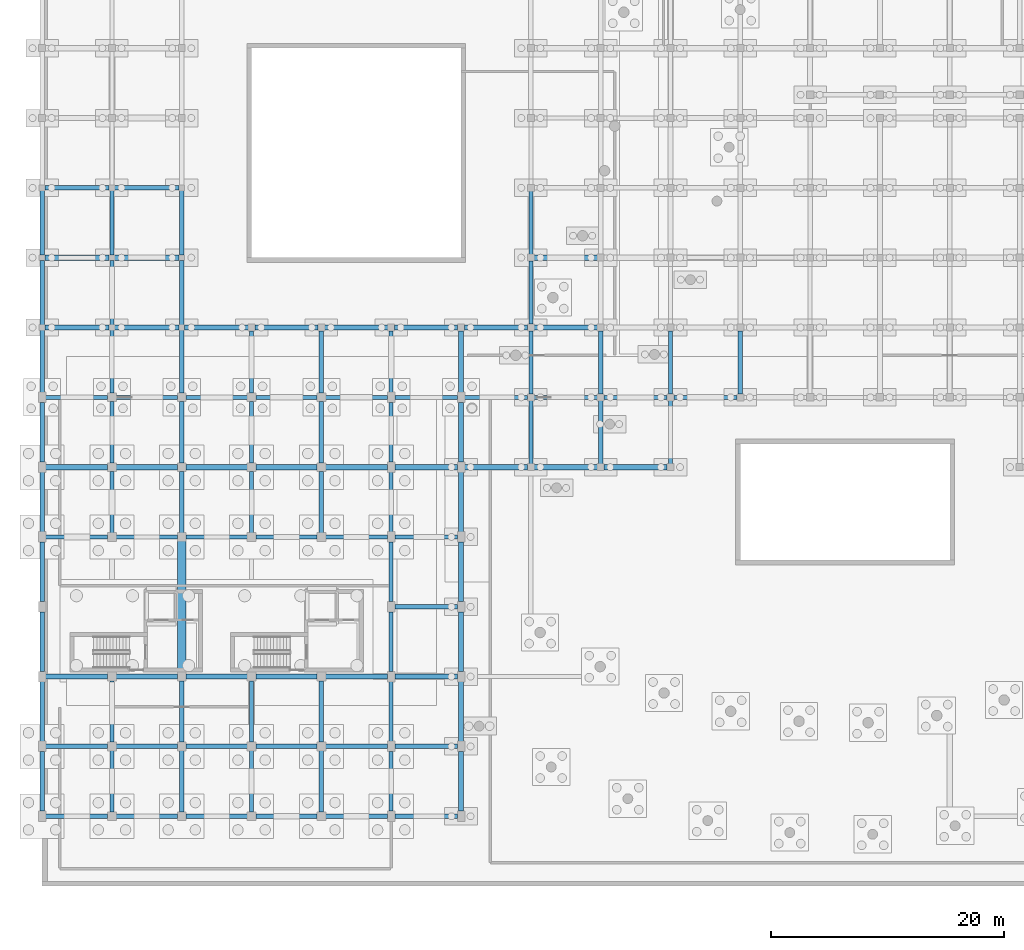
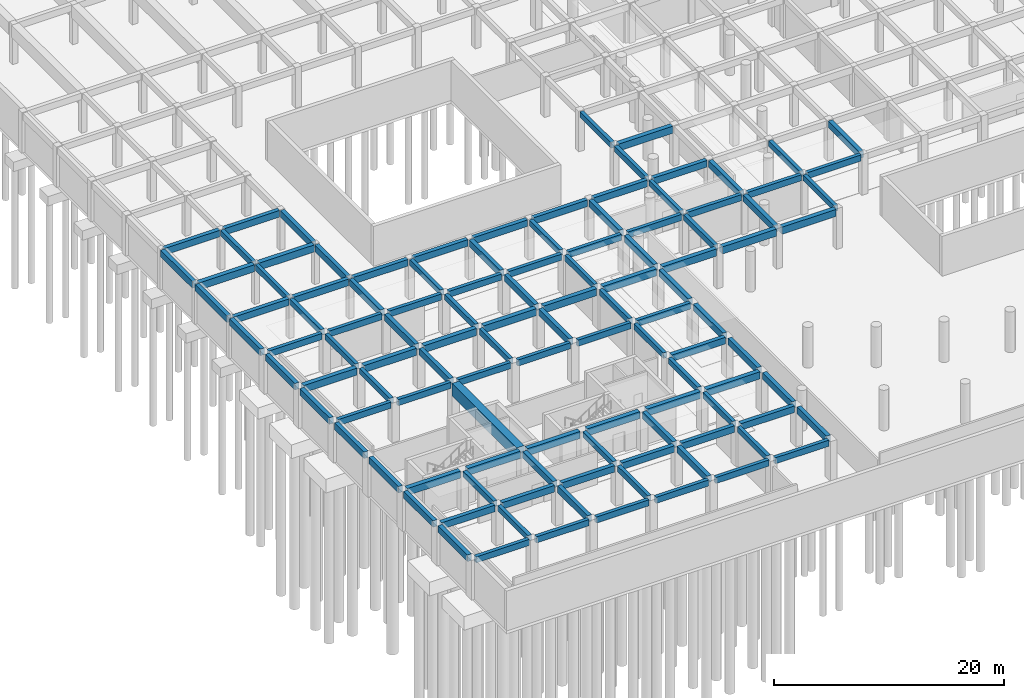
# One storey, part 16 of 41: 114 beams.
"""IFC4 building model written with IfcOpenShell, lengths in metres."""

from ifc_helpers import new_model, si_unit, direction, frame, origin, origin_2d, place, context, subcontext, project, spatial, rectangle, extrude, material, material_profile, profile_set, type_object, element, save


model = new_model("IFC4")

# Units and contexts
model_context = context("Model", 3, precision=1e-05, world=origin(), true_north=direction((0.0, 1.0)))
body_context = subcontext(model_context, "Body", "Model", "MODEL_VIEW")
ifc_project = project(units=[si_unit("LENGTHUNIT", "METRE"), si_unit("AREAUNIT", "SQUARE_METRE"), si_unit("VOLUMEUNIT", "CUBIC_METRE"), si_unit("PLANEANGLEUNIT", "RADIAN"), si_unit("MASSUNIT", "GRAM", prefix="KILO"), si_unit("POWERUNIT", "WATT"), si_unit("THERMODYNAMICTEMPERATUREUNIT", "KELVIN")], contexts=[model_context])

# Site, building, storey
site_placement = place(None, origin())
site = spatial("IfcSite", under=ifc_project, at=site_placement, CompositionType="ELEMENT")
building_placement = place(site_placement, origin())
building = spatial("IfcBuilding", under=site, at=building_placement, Name="Ruvembo Vaulted Housing Court", CompositionType="ELEMENT")
storey_placement = place(building_placement, frame((0.0, 0.0, -4.5)))
storey = spatial("IfcBuildingStorey", under=building, at=storey_placement, Name="B1", CompositionType="ELEMENT", Elevation=-4.5)

# Beams
ifc_material_1 = material(Name="Concrete C35/45", Category="concrete")
ifc_material_profile_1 = material_profile(ifc_material_1, rectangle(XDim=0.35009765625, YDim=0.60009765625, at=origin_2d()), Name="RC 350x600")
ifc_profile_set_1 = profile_set([ifc_material_profile_1], Name="Concrete C35/45")
beam_type_1 = type_object("IfcBeamType", Name="BM-RC-350x600", PredefinedType="BEAM", material=ifc_profile_set_1)
for number, where, z_axis, x_axis, name in (
    (1, (6.0, 6.360107421875, 3.9150390625), (0.0, 1.0, 0.0), (-1.0, 0.0, 0.0), "B1 Grid Beam Y #391"),
    (2, (6.0, 12.360107421875, 3.9150390625), (0.0, 1.0, 0.0), (-1.0, 0.0, 0.0), "B1 Grid Beam Y #392"),
    (3, (6.0, 30.360107421875, 3.9150390625), (0.0, 1.0, 0.0), (-1.0, 0.0, 0.0), "B1 Grid Beam Y #393"),
    (4, (6.0, 36.360107421875, 3.9150390625), (0.0, 1.0, 0.0), (-1.0, 0.0, 0.0), "B1 Grid Beam Y #394"),
):
    element("IfcBeam", number, at=place(storey_placement, frame(where, z_axis=z_axis, x_axis=x_axis)), inside=storey, type_object=beam_type_1, Name=name, PredefinedType="BEAM", context=body_context, shape_type="SweptSolid", body=[
        extrude(rectangle(XDim=0.35009765625, YDim=0.60009765625, at=origin_2d()), origin(), (0.0, 0.0, 1.0), 5.27978515625),
    ])
beam_1_placement = place(storey_placement, frame((6.0, 42.360107421875, 3.9150390625), z_axis=(0.0, 1.0, 0.0), x_axis=(-1.0, 0.0, 0.0)))
element("IfcBeam", 5, at=beam_1_placement, inside=storey, type_object=beam_type_1, Name="B1 Grid Beam Y #395", PredefinedType="BEAM", context=body_context, shape_type="SweptSolid", body=[
    extrude(rectangle(XDim=0.35009765625, YDim=0.60009765625, at=origin_2d()), origin(), (0.0, 0.0, 1.0), 5.40478515625),
])
for number, where, z_axis, x_axis, name in (
    (6, (6.0, 48.235107421875, 3.9150390625), (0.0, 1.0, 0.0), (-1.0, 0.0, 0.0), "B1 Grid Beam Y #396"),
    (7, (6.0, 54.235107421875, 3.9150390625), (0.0, 1.0, 0.0), (-1.0, 0.0, 0.0), "B1 Grid Beam Y #397"),
):
    element("IfcBeam", number, at=place(storey_placement, frame(where, z_axis=z_axis, x_axis=x_axis)), inside=storey, type_object=beam_type_1, Name=name, PredefinedType="BEAM", context=body_context, shape_type="SweptSolid", body=[
        extrude(rectangle(XDim=0.35009765625, YDim=0.60009765625, at=origin_2d()), origin(), (0.0, 0.0, 1.0), 5.52978515625),
    ])
for number, where, z_axis, x_axis, name in (
    (8, (18.0, 6.360107421875, 3.9150390625), (0.0, 1.0, 0.0), (-1.0, 0.0, 0.0), "B1 Grid Beam Y #418"),
    (9, (18.0, 12.360107421875, 3.9150390625), (0.0, 1.0, 0.0), (-1.0, 0.0, 0.0), "B1 Grid Beam Y #419"),
    (10, (18.0, 30.360107421875, 3.9150390625), (0.0, 1.0, 0.0), (-1.0, 0.0, 0.0), "B1 Grid Beam Y #420"),
    (11, (18.0, 36.360107421875, 3.9150390625), (0.0, 1.0, 0.0), (-1.0, 0.0, 0.0), "B1 Grid Beam Y #421"),
):
    element("IfcBeam", number, at=place(storey_placement, frame(where, z_axis=z_axis, x_axis=x_axis)), inside=storey, type_object=beam_type_1, Name=name, PredefinedType="BEAM", context=body_context, shape_type="SweptSolid", body=[
        extrude(rectangle(XDim=0.35009765625, YDim=0.60009765625, at=origin_2d()), origin(), (0.0, 0.0, 1.0), 5.27978515625),
    ])
beam_2_placement = place(storey_placement, frame((18.0, 42.360107421875, 3.9150390625), z_axis=(0.0, 1.0, 0.0), x_axis=(-1.0, 0.0, 0.0)))
element("IfcBeam", 12, at=beam_2_placement, inside=storey, type_object=beam_type_1, Name="B1 Grid Beam Y #422", PredefinedType="BEAM", context=body_context, shape_type="SweptSolid", body=[
    extrude(rectangle(XDim=0.35009765625, YDim=0.60009765625, at=origin_2d()), origin(), (0.0, 0.0, 1.0), 5.35498046875),
])
for number, where, z_axis, x_axis, name in (
    (13, (30.0, 6.43505859375, 3.9150390625), (0.0, 1.0, 0.0), (-1.0, 0.0, 0.0), "B1 Grid Beam Y #434"),
    (14, (30.0, 12.43505859375, 3.9150390625), (0.0, 1.0, 0.0), (-1.0, 0.0, 0.0), "B1 Grid Beam Y #435"),
    (15, (30.0, 18.43505859375, 3.9150390625), (0.0, 1.0, 0.0), (-1.0, 0.0, 0.0), "B1 Grid Beam Y #436"),
    (16, (30.0, 24.43505859375, 3.9150390625), (0.0, 1.0, 0.0), (-1.0, 0.0, 0.0), "B1 Grid Beam Y #437"),
    (17, (30.0, 30.43505859375, 3.9150390625), (0.0, 1.0, 0.0), (-1.0, 0.0, 0.0), "B1 Grid Beam Y #438"),
    (18, (30.0, 36.43505859375, 3.9150390625), (0.0, 1.0, 0.0), (-1.0, 0.0, 0.0), "B1 Grid Beam Y #439"),
):
    element("IfcBeam", number, at=place(storey_placement, frame(where, z_axis=z_axis, x_axis=x_axis)), inside=storey, type_object=beam_type_1, Name=name, PredefinedType="BEAM", context=body_context, shape_type="SweptSolid", body=[
        extrude(rectangle(XDim=0.35009765625, YDim=0.60009765625, at=origin_2d()), origin(), (0.0, 0.0, 1.0), 5.1298828125),
    ])
beam_3_placement = place(storey_placement, frame((30.0, 42.43505859375, 3.9150390625), z_axis=(0.0, 1.0, 0.0), x_axis=(-1.0, 0.0, 0.0)))
element("IfcBeam", 19, at=beam_3_placement, inside=storey, type_object=beam_type_1, Name="B1 Grid Beam Y #440", PredefinedType="BEAM", context=body_context, shape_type="SweptSolid", body=[
    extrude(rectangle(XDim=0.35009765625, YDim=0.60009765625, at=origin_2d()), origin(), (0.0, 0.0, 1.0), 5.280029296875),
])
for number, where, z_axis, x_axis, name in (
    (20, (42.0, 36.284912109375, 3.9150390625), (0.0, 1.0, 0.0), (-1.0, 0.0, 0.0), "B1 Grid Beam Y #454"),
    (21, (42.0, 42.284912109375, 3.9150390625), (0.0, 1.0, 0.0), (-1.0, 0.0, 0.0), "B1 Grid Beam Y #455"),
    (22, (42.0, 48.284912109375, 3.9150390625), (0.0, 1.0, 0.0), (-1.0, 0.0, 0.0), "B1 Grid Beam Y #456"),
    (23, (42.0, 54.284912109375, 3.9150390625), (0.0, 1.0, 0.0), (-1.0, 0.0, 0.0), "B1 Grid Beam Y #457"),
    (24, (54.0, 36.284912109375, 3.9150390625), (0.0, 1.0, 0.0), (-1.0, 0.0, 0.0), "B1 Grid Beam Y #477"),
    (25, (54.0, 42.284912109375, 3.9150390625), (0.0, 1.0, 0.0), (-1.0, 0.0, 0.0), "B1 Grid Beam Y #478"),
):
    element("IfcBeam", number, at=place(storey_placement, frame(where, z_axis=z_axis, x_axis=x_axis)), inside=storey, type_object=beam_type_1, Name=name, PredefinedType="BEAM", context=body_context, shape_type="SweptSolid", body=[
        extrude(rectangle(XDim=0.35009765625, YDim=0.60009765625, at=origin_2d()), origin(), (0.0, 0.0, 1.0), 5.43017578125),
    ])
ifc_material_profile_2 = material_profile(ifc_material_1, rectangle(XDim=0.35009765625, YDim=0.64990234375, at=origin_2d()), Name="RC 350x650")
ifc_profile_set_2 = profile_set([ifc_material_profile_2], Name="Concrete C35/45")
beam_type_2 = type_object("IfcBeamType", Name="BM-RC-350x650", PredefinedType="BEAM", material=ifc_profile_set_2)
beam_4_placement = place(storey_placement, frame((0.31005859375, 6.0, 3.889892578125), z_axis=(1.0, 0.0, 0.0), x_axis=(0.0, 1.0, 0.0)))
element("IfcBeam", 26, at=beam_4_placement, inside=storey, type_object=beam_type_2, Name="B1 Grid Beam X #7", PredefinedType="BEAM", context=body_context, shape_type="SweptSolid", body=[
    extrude(rectangle(XDim=0.35009765625, YDim=0.64990234375, at=origin_2d()), origin(), (0.0, 0.0, 1.0), 5.329833984375),
])
for number, where, z_axis, x_axis, name in (
    (27, (6.360107421875, 6.0, 3.889892578125), (1.0, 0.0, 0.0), (0.0, 1.0, 0.0), "B1 Grid Beam X #8"),
    (28, (12.360107421875, 6.0, 3.889892578125), (1.0, 0.0, 0.0), (0.0, 1.0, 0.0), "B1 Grid Beam X #9"),
    (29, (18.360107421875, 6.0, 3.889892578125), (1.0, 0.0, 0.0), (0.0, 1.0, 0.0), "B1 Grid Beam X #10"),
):
    element("IfcBeam", number, at=place(storey_placement, frame(where, z_axis=z_axis, x_axis=x_axis)), inside=storey, type_object=beam_type_2, Name=name, PredefinedType="BEAM", context=body_context, shape_type="SweptSolid", body=[
        extrude(rectangle(XDim=0.35009765625, YDim=0.64990234375, at=origin_2d()), origin(), (0.0, 0.0, 1.0), 5.27978515625),
    ])
beam_5_placement = place(storey_placement, frame((24.360107421875, 6.0, 3.889892578125), z_axis=(1.0, 0.0, 0.0), x_axis=(0.0, 1.0, 0.0)))
element("IfcBeam", 30, at=beam_5_placement, inside=storey, type_object=beam_type_2, Name="B1 Grid Beam X #11", PredefinedType="BEAM", context=body_context, shape_type="SweptSolid", body=[
    extrude(rectangle(XDim=0.35009765625, YDim=0.64990234375, at=origin_2d()), origin(), (0.0, 0.0, 1.0), 5.329833984375),
])
beam_6_placement = place(storey_placement, frame((30.31005859375, 6.0, 3.889892578125), z_axis=(1.0, 0.0, 0.0), x_axis=(0.0, 1.0, 0.0)))
element("IfcBeam", 31, at=beam_6_placement, inside=storey, type_object=beam_type_2, Name="B1 Grid Beam X #12", PredefinedType="BEAM", context=body_context, shape_type="SweptSolid", body=[
    extrude(rectangle(XDim=0.35009765625, YDim=0.64990234375, at=origin_2d()), origin(), (0.0, 0.0, 1.0), 5.3798828125),
])
beam_7_placement = place(storey_placement, frame((0.31005859375, 30.0, 3.889892578125), z_axis=(1.0, 0.0, 0.0), x_axis=(0.0, 1.0, 0.0)))
element("IfcBeam", 32, at=beam_7_placement, inside=storey, type_object=beam_type_2, Name="B1 Grid Beam X #61", PredefinedType="BEAM", context=body_context, shape_type="SweptSolid", body=[
    extrude(rectangle(XDim=0.35009765625, YDim=0.64990234375, at=origin_2d()), origin(), (0.0, 0.0, 1.0), 5.329833984375),
])
for number, where, z_axis, x_axis, name in (
    (33, (6.360107421875, 30.0, 3.889892578125), (1.0, 0.0, 0.0), (0.0, 1.0, 0.0), "B1 Grid Beam X #62"),
    (34, (12.360107421875, 30.0, 3.889892578125), (1.0, 0.0, 0.0), (0.0, 1.0, 0.0), "B1 Grid Beam X #63"),
    (35, (18.360107421875, 30.0, 3.889892578125), (1.0, 0.0, 0.0), (0.0, 1.0, 0.0), "B1 Grid Beam X #64"),
):
    element("IfcBeam", number, at=place(storey_placement, frame(where, z_axis=z_axis, x_axis=x_axis)), inside=storey, type_object=beam_type_2, Name=name, PredefinedType="BEAM", context=body_context, shape_type="SweptSolid", body=[
        extrude(rectangle(XDim=0.35009765625, YDim=0.64990234375, at=origin_2d()), origin(), (0.0, 0.0, 1.0), 5.27978515625),
    ])
beam_8_placement = place(storey_placement, frame((24.360107421875, 30.0, 3.889892578125), z_axis=(1.0, 0.0, 0.0), x_axis=(0.0, 1.0, 0.0)))
element("IfcBeam", 36, at=beam_8_placement, inside=storey, type_object=beam_type_2, Name="B1 Grid Beam X #65", PredefinedType="BEAM", context=body_context, shape_type="SweptSolid", body=[
    extrude(rectangle(XDim=0.35009765625, YDim=0.64990234375, at=origin_2d()), origin(), (0.0, 0.0, 1.0), 5.329833984375),
])
beam_9_placement = place(storey_placement, frame((30.31005859375, 30.0, 3.889892578125), z_axis=(1.0, 0.0, 0.0), x_axis=(0.0, 1.0, 0.0)))
element("IfcBeam", 37, at=beam_9_placement, inside=storey, type_object=beam_type_2, Name="B1 Grid Beam X #66", PredefinedType="BEAM", context=body_context, shape_type="SweptSolid", body=[
    extrude(rectangle(XDim=0.35009765625, YDim=0.64990234375, at=origin_2d()), origin(), (0.0, 0.0, 1.0), 5.3798828125),
])
beam_10_placement = place(storey_placement, frame((0.31005859375, 42.0, 3.889892578125), z_axis=(1.0, 0.0, 0.0), x_axis=(0.0, 1.0, 0.0)))
element("IfcBeam", 38, at=beam_10_placement, inside=storey, type_object=beam_type_2, Name="B1 Grid Beam X #107", PredefinedType="BEAM", context=body_context, shape_type="SweptSolid", body=[
    extrude(rectangle(XDim=0.35009765625, YDim=0.64990234375, at=origin_2d()), origin(), (0.0, 0.0, 1.0), 5.329833984375),
])
for number, where, z_axis, x_axis, name in (
    (39, (6.360107421875, 42.0, 3.889892578125), (1.0, 0.0, 0.0), (0.0, 1.0, 0.0), "B1 Grid Beam X #108"),
    (40, (12.360107421875, 42.0, 3.889892578125), (1.0, 0.0, 0.0), (0.0, 1.0, 0.0), "B1 Grid Beam X #109"),
    (41, (18.360107421875, 42.0, 3.889892578125), (1.0, 0.0, 0.0), (0.0, 1.0, 0.0), "B1 Grid Beam X #110"),
):
    element("IfcBeam", number, at=place(storey_placement, frame(where, z_axis=z_axis, x_axis=x_axis)), inside=storey, type_object=beam_type_2, Name=name, PredefinedType="BEAM", context=body_context, shape_type="SweptSolid", body=[
        extrude(rectangle(XDim=0.35009765625, YDim=0.64990234375, at=origin_2d()), origin(), (0.0, 0.0, 1.0), 5.27978515625),
    ])
beam_11_placement = place(storey_placement, frame((24.360107421875, 42.0, 3.889892578125), z_axis=(1.0, 0.0, 0.0), x_axis=(0.0, 1.0, 0.0)))
element("IfcBeam", 42, at=beam_11_placement, inside=storey, type_object=beam_type_2, Name="B1 Grid Beam X #111", PredefinedType="BEAM", context=body_context, shape_type="SweptSolid", body=[
    extrude(rectangle(XDim=0.35009765625, YDim=0.64990234375, at=origin_2d()), origin(), (0.0, 0.0, 1.0), 5.329833984375),
])
beam_12_placement = place(storey_placement, frame((30.31005859375, 42.0, 3.889892578125), z_axis=(1.0, 0.0, 0.0), x_axis=(0.0, 1.0, 0.0)))
element("IfcBeam", 43, at=beam_12_placement, inside=storey, type_object=beam_type_2, Name="B1 Grid Beam X #112", PredefinedType="BEAM", context=body_context, shape_type="SweptSolid", body=[
    extrude(rectangle(XDim=0.35009765625, YDim=0.64990234375, at=origin_2d()), origin(), (0.0, 0.0, 1.0), 5.3798828125),
])
beam_13_placement = place(storey_placement, frame((36.31005859375, 42.0, 3.889892578125), z_axis=(1.0, 0.0, 0.0), x_axis=(0.0, 1.0, 0.0)))
element("IfcBeam", 44, at=beam_13_placement, inside=storey, type_object=beam_type_2, Name="B1 Grid Beam X #113", PredefinedType="BEAM", context=body_context, shape_type="SweptSolid", body=[
    extrude(rectangle(XDim=0.35009765625, YDim=0.64990234375, at=origin_2d()), origin(), (0.0, 0.0, 1.0), 5.405029296875),
])
for number, where, z_axis, x_axis, name in (
    (45, (42.284912109375, 42.0, 3.889892578125), (1.0, 0.0, 0.0), (0.0, 1.0, 0.0), "B1 Grid Beam X #114"),
    (46, (48.284912109375, 42.0, 3.889892578125), (1.0, 0.0, 0.0), (0.0, 1.0, 0.0), "B1 Grid Beam X #115"),
    (47, (54.284912109375, 42.0, 3.889892578125), (1.0, 0.0, 0.0), (0.0, 1.0, 0.0), "B1 Grid Beam X #116"),
):
    element("IfcBeam", number, at=place(storey_placement, frame(where, z_axis=z_axis, x_axis=x_axis)), inside=storey, type_object=beam_type_2, Name=name, PredefinedType="BEAM", context=body_context, shape_type="SweptSolid", body=[
        extrude(rectangle(XDim=0.35009765625, YDim=0.64990234375, at=origin_2d()), origin(), (0.0, 0.0, 1.0), 5.43017578125),
    ])
ifc_material_profile_3 = material_profile(ifc_material_1, rectangle(XDim=0.39990234375, YDim=0.699951171875, at=origin_2d()), Name="RC 400x700")
ifc_profile_set_3 = profile_set([ifc_material_profile_3], Name="Concrete C35/45")
beam_type_3 = type_object("IfcBeamType", Name="BM-RC-400x700", PredefinedType="BEAM", material=ifc_profile_set_3)
beam_14_placement = place(storey_placement, frame((0.31005859375, 12.0, 3.864990234375), z_axis=(1.0, 0.0, 0.0), x_axis=(0.0, 1.0, 0.0)))
element("IfcBeam", 48, at=beam_14_placement, inside=storey, type_object=beam_type_3, Name="B1 Grid Beam X #27", PredefinedType="BEAM", context=body_context, shape_type="SweptSolid", body=[
    extrude(rectangle(XDim=0.39990234375, YDim=0.699951171875, at=origin_2d()), origin(), (0.0, 0.0, 1.0), 5.329833984375),
])
for number, where, z_axis, x_axis, name in (
    (49, (6.360107421875, 12.0, 3.864990234375), (1.0, 0.0, 0.0), (0.0, 1.0, 0.0), "B1 Grid Beam X #28"),
    (50, (12.360107421875, 12.0, 3.864990234375), (1.0, 0.0, 0.0), (0.0, 1.0, 0.0), "B1 Grid Beam X #29"),
    (51, (18.360107421875, 12.0, 3.864990234375), (1.0, 0.0, 0.0), (0.0, 1.0, 0.0), "B1 Grid Beam X #30"),
):
    element("IfcBeam", number, at=place(storey_placement, frame(where, z_axis=z_axis, x_axis=x_axis)), inside=storey, type_object=beam_type_3, Name=name, PredefinedType="BEAM", context=body_context, shape_type="SweptSolid", body=[
        extrude(rectangle(XDim=0.39990234375, YDim=0.699951171875, at=origin_2d()), origin(), (0.0, 0.0, 1.0), 5.27978515625),
    ])
beam_15_placement = place(storey_placement, frame((24.360107421875, 12.0, 3.864990234375), z_axis=(1.0, 0.0, 0.0), x_axis=(0.0, 1.0, 0.0)))
element("IfcBeam", 52, at=beam_15_placement, inside=storey, type_object=beam_type_3, Name="B1 Grid Beam X #31", PredefinedType="BEAM", context=body_context, shape_type="SweptSolid", body=[
    extrude(rectangle(XDim=0.39990234375, YDim=0.699951171875, at=origin_2d()), origin(), (0.0, 0.0, 1.0), 5.329833984375),
])
for number, where, z_axis, x_axis, name in (
    (53, (30.31005859375, 12.0, 3.864990234375), (1.0, 0.0, 0.0), (0.0, 1.0, 0.0), "B1 Grid Beam X #32"),
    (54, (30.31005859375, 24.0, 3.864990234375), (1.0, 0.0, 0.0), (0.0, 1.0, 0.0), "B1 Grid Beam X #54"),
):
    element("IfcBeam", number, at=place(storey_placement, frame(where, z_axis=z_axis, x_axis=x_axis)), inside=storey, type_object=beam_type_3, Name=name, PredefinedType="BEAM", context=body_context, shape_type="SweptSolid", body=[
        extrude(rectangle(XDim=0.39990234375, YDim=0.699951171875, at=origin_2d()), origin(), (0.0, 0.0, 1.0), 5.3798828125),
    ])
for number, where, z_axis, x_axis, name in (
    (55, (0.235107421875, 48.0, 3.864990234375), (1.0, 0.0, 0.0), (0.0, 1.0, 0.0), "B1 Grid Beam X #138"),
    (56, (6.235107421875, 48.0, 3.864990234375), (1.0, 0.0, 0.0), (0.0, 1.0, 0.0), "B1 Grid Beam X #139"),
):
    element("IfcBeam", number, at=place(storey_placement, frame(where, z_axis=z_axis, x_axis=x_axis)), inside=storey, type_object=beam_type_3, Name=name, PredefinedType="BEAM", context=body_context, shape_type="SweptSolid", body=[
        extrude(rectangle(XDim=0.39990234375, YDim=0.699951171875, at=origin_2d()), origin(), (0.0, 0.0, 1.0), 5.52978515625),
    ])
beam_16_placement = place(storey_placement, frame((12.235107421875, 48.0, 3.864990234375), z_axis=(1.0, 0.0, 0.0), x_axis=(0.0, 1.0, 0.0)))
element("IfcBeam", 57, at=beam_16_placement, inside=storey, type_object=beam_type_3, Name="B1 Grid Beam X #140", PredefinedType="BEAM", context=body_context, shape_type="SweptSolid", body=[
    extrude(rectangle(XDim=0.39990234375, YDim=0.699951171875, at=origin_2d()), origin(), (0.0, 0.0, 1.0), 5.47998046875),
])
for number, where, z_axis, x_axis, name in (
    (58, (18.284912109375, 48.0, 3.864990234375), (1.0, 0.0, 0.0), (0.0, 1.0, 0.0), "B1 Grid Beam X #141"),
    (59, (24.284912109375, 48.0, 3.864990234375), (1.0, 0.0, 0.0), (0.0, 1.0, 0.0), "B1 Grid Beam X #142"),
    (60, (30.284912109375, 48.0, 3.864990234375), (1.0, 0.0, 0.0), (0.0, 1.0, 0.0), "B1 Grid Beam X #143"),
    (61, (36.284912109375, 48.0, 3.864990234375), (1.0, 0.0, 0.0), (0.0, 1.0, 0.0), "B1 Grid Beam X #144"),
    (62, (42.284912109375, 48.0, 3.864990234375), (1.0, 0.0, 0.0), (0.0, 1.0, 0.0), "B1 Grid Beam X #145"),
):
    element("IfcBeam", number, at=place(storey_placement, frame(where, z_axis=z_axis, x_axis=x_axis)), inside=storey, type_object=beam_type_3, Name=name, PredefinedType="BEAM", context=body_context, shape_type="SweptSolid", body=[
        extrude(rectangle(XDim=0.39990234375, YDim=0.699951171875, at=origin_2d()), origin(), (0.0, 0.0, 1.0), 5.43017578125),
    ])
for number, where, z_axis, x_axis, name in (
    (63, (0.235107421875, 60.0, 3.864990234375), (1.0, 0.0, 0.0), (0.0, 1.0, 0.0), "B1 Grid Beam X #195"),
    (64, (6.235107421875, 60.0, 3.864990234375), (1.0, 0.0, 0.0), (0.0, 1.0, 0.0), "B1 Grid Beam X #196"),
):
    element("IfcBeam", number, at=place(storey_placement, frame(where, z_axis=z_axis, x_axis=x_axis)), inside=storey, type_object=beam_type_3, Name=name, PredefinedType="BEAM", context=body_context, shape_type="SweptSolid", body=[
        extrude(rectangle(XDim=0.39990234375, YDim=0.699951171875, at=origin_2d()), origin(), (0.0, 0.0, 1.0), 5.52978515625),
    ])
for number, where, z_axis, x_axis, name in (
    (65, (0.0, 6.43505859375, 3.864990234375), (0.0, 1.0, 0.0), (-1.0, 0.0, 0.0), "B1 Grid Beam Y #378"),
    (66, (0.0, 12.43505859375, 3.864990234375), (0.0, 1.0, 0.0), (-1.0, 0.0, 0.0), "B1 Grid Beam Y #379"),
    (67, (0.0, 18.43505859375, 3.864990234375), (0.0, 1.0, 0.0), (-1.0, 0.0, 0.0), "B1 Grid Beam Y #380"),
    (68, (0.0, 24.43505859375, 3.864990234375), (0.0, 1.0, 0.0), (-1.0, 0.0, 0.0), "B1 Grid Beam Y #381"),
    (69, (0.0, 30.43505859375, 3.864990234375), (0.0, 1.0, 0.0), (-1.0, 0.0, 0.0), "B1 Grid Beam Y #382"),
    (70, (0.0, 36.43505859375, 3.864990234375), (0.0, 1.0, 0.0), (-1.0, 0.0, 0.0), "B1 Grid Beam Y #383"),
):
    element("IfcBeam", number, at=place(storey_placement, frame(where, z_axis=z_axis, x_axis=x_axis)), inside=storey, type_object=beam_type_3, Name=name, PredefinedType="BEAM", context=body_context, shape_type="SweptSolid", body=[
        extrude(rectangle(XDim=0.39990234375, YDim=0.699951171875, at=origin_2d()), origin(), (0.0, 0.0, 1.0), 5.1298828125),
    ])
beam_17_placement = place(storey_placement, frame((0.0, 42.43505859375, 3.864990234375), z_axis=(0.0, 1.0, 0.0), x_axis=(-1.0, 0.0, 0.0)))
element("IfcBeam", 71, at=beam_17_placement, inside=storey, type_object=beam_type_3, Name="B1 Grid Beam Y #384", PredefinedType="BEAM", context=body_context, shape_type="SweptSolid", body=[
    extrude(rectangle(XDim=0.39990234375, YDim=0.699951171875, at=origin_2d()), origin(), (0.0, 0.0, 1.0), 5.329833984375),
])
for number, where, z_axis, x_axis, name in (
    (72, (0.0, 48.235107421875, 3.864990234375), (0.0, 1.0, 0.0), (-1.0, 0.0, 0.0), "B1 Grid Beam Y #385"),
    (73, (0.0, 54.235107421875, 3.864990234375), (0.0, 1.0, 0.0), (-1.0, 0.0, 0.0), "B1 Grid Beam Y #386"),
):
    element("IfcBeam", number, at=place(storey_placement, frame(where, z_axis=z_axis, x_axis=x_axis)), inside=storey, type_object=beam_type_3, Name=name, PredefinedType="BEAM", context=body_context, shape_type="SweptSolid", body=[
        extrude(rectangle(XDim=0.39990234375, YDim=0.699951171875, at=origin_2d()), origin(), (0.0, 0.0, 1.0), 5.52978515625),
    ])
for number, where, z_axis, x_axis, name in (
    (74, (12.0, 6.360107421875, 3.864990234375), (0.0, 1.0, 0.0), (-1.0, 0.0, 0.0), "B1 Grid Beam Y #404"),
    (75, (12.0, 12.360107421875, 3.864990234375), (0.0, 1.0, 0.0), (-1.0, 0.0, 0.0), "B1 Grid Beam Y #405"),
    (76, (12.0, 30.360107421875, 3.864990234375), (0.0, 1.0, 0.0), (-1.0, 0.0, 0.0), "B1 Grid Beam Y #407"),
    (77, (12.0, 36.360107421875, 3.864990234375), (0.0, 1.0, 0.0), (-1.0, 0.0, 0.0), "B1 Grid Beam Y #408"),
):
    element("IfcBeam", number, at=place(storey_placement, frame(where, z_axis=z_axis, x_axis=x_axis)), inside=storey, type_object=beam_type_3, Name=name, PredefinedType="BEAM", context=body_context, shape_type="SweptSolid", body=[
        extrude(rectangle(XDim=0.39990234375, YDim=0.699951171875, at=origin_2d()), origin(), (0.0, 0.0, 1.0), 5.27978515625),
    ])
beam_18_placement = place(storey_placement, frame((12.0, 42.360107421875, 3.864990234375), z_axis=(0.0, 1.0, 0.0), x_axis=(-1.0, 0.0, 0.0)))
element("IfcBeam", 78, at=beam_18_placement, inside=storey, type_object=beam_type_3, Name="B1 Grid Beam Y #409", PredefinedType="BEAM", context=body_context, shape_type="SweptSolid", body=[
    extrude(rectangle(XDim=0.39990234375, YDim=0.699951171875, at=origin_2d()), origin(), (0.0, 0.0, 1.0), 5.40478515625),
])
for number, where, z_axis, x_axis, name in (
    (79, (12.0, 48.235107421875, 3.864990234375), (0.0, 1.0, 0.0), (-1.0, 0.0, 0.0), "B1 Grid Beam Y #410"),
    (80, (12.0, 54.235107421875, 3.864990234375), (0.0, 1.0, 0.0), (-1.0, 0.0, 0.0), "B1 Grid Beam Y #411"),
):
    element("IfcBeam", number, at=place(storey_placement, frame(where, z_axis=z_axis, x_axis=x_axis)), inside=storey, type_object=beam_type_3, Name=name, PredefinedType="BEAM", context=body_context, shape_type="SweptSolid", body=[
        extrude(rectangle(XDim=0.39990234375, YDim=0.699951171875, at=origin_2d()), origin(), (0.0, 0.0, 1.0), 5.52978515625),
    ])
for number, where, z_axis, x_axis, name in (
    (81, (24.0, 6.360107421875, 3.864990234375), (0.0, 1.0, 0.0), (-1.0, 0.0, 0.0), "B1 Grid Beam Y #426"),
    (82, (24.0, 12.360107421875, 3.864990234375), (0.0, 1.0, 0.0), (-1.0, 0.0, 0.0), "B1 Grid Beam Y #427"),
    (83, (24.0, 30.360107421875, 3.864990234375), (0.0, 1.0, 0.0), (-1.0, 0.0, 0.0), "B1 Grid Beam Y #428"),
    (84, (24.0, 36.360107421875, 3.864990234375), (0.0, 1.0, 0.0), (-1.0, 0.0, 0.0), "B1 Grid Beam Y #429"),
):
    element("IfcBeam", number, at=place(storey_placement, frame(where, z_axis=z_axis, x_axis=x_axis)), inside=storey, type_object=beam_type_3, Name=name, PredefinedType="BEAM", context=body_context, shape_type="SweptSolid", body=[
        extrude(rectangle(XDim=0.39990234375, YDim=0.699951171875, at=origin_2d()), origin(), (0.0, 0.0, 1.0), 5.27978515625),
    ])
beam_19_placement = place(storey_placement, frame((24.0, 42.360107421875, 3.864990234375), z_axis=(0.0, 1.0, 0.0), x_axis=(-1.0, 0.0, 0.0)))
element("IfcBeam", 85, at=beam_19_placement, inside=storey, type_object=beam_type_3, Name="B1 Grid Beam Y #430", PredefinedType="BEAM", context=body_context, shape_type="SweptSolid", body=[
    extrude(rectangle(XDim=0.39990234375, YDim=0.699951171875, at=origin_2d()), origin(), (0.0, 0.0, 1.0), 5.35498046875),
])
for number, where, z_axis, x_axis, name in (
    (86, (36.0, 6.43505859375, 3.864990234375), (0.0, 1.0, 0.0), (-1.0, 0.0, 0.0), "B1 Grid Beam Y #444"),
    (87, (36.0, 12.43505859375, 3.864990234375), (0.0, 1.0, 0.0), (-1.0, 0.0, 0.0), "B1 Grid Beam Y #445"),
    (88, (36.0, 18.43505859375, 3.864990234375), (0.0, 1.0, 0.0), (-1.0, 0.0, 0.0), "B1 Grid Beam Y #446"),
    (89, (36.0, 24.43505859375, 3.864990234375), (0.0, 1.0, 0.0), (-1.0, 0.0, 0.0), "B1 Grid Beam Y #447"),
    (90, (36.0, 30.43505859375, 3.864990234375), (0.0, 1.0, 0.0), (-1.0, 0.0, 0.0), "B1 Grid Beam Y #448"),
    (91, (36.0, 36.43505859375, 3.864990234375), (0.0, 1.0, 0.0), (-1.0, 0.0, 0.0), "B1 Grid Beam Y #449"),
):
    element("IfcBeam", number, at=place(storey_placement, frame(where, z_axis=z_axis, x_axis=x_axis)), inside=storey, type_object=beam_type_3, Name=name, PredefinedType="BEAM", context=body_context, shape_type="SweptSolid", body=[
        extrude(rectangle(XDim=0.39990234375, YDim=0.699951171875, at=origin_2d()), origin(), (0.0, 0.0, 1.0), 5.1298828125),
    ])
beam_20_placement = place(storey_placement, frame((36.0, 42.43505859375, 3.864990234375), z_axis=(0.0, 1.0, 0.0), x_axis=(-1.0, 0.0, 0.0)))
element("IfcBeam", 92, at=beam_20_placement, inside=storey, type_object=beam_type_3, Name="B1 Grid Beam Y #450", PredefinedType="BEAM", context=body_context, shape_type="SweptSolid", body=[
    extrude(rectangle(XDim=0.39990234375, YDim=0.699951171875, at=origin_2d()), origin(), (0.0, 0.0, 1.0), 5.280029296875),
])
for number, where, z_axis, x_axis, name in (
    (93, (48.0, 36.284912109375, 3.864990234375), (0.0, 1.0, 0.0), (-1.0, 0.0, 0.0), "B1 Grid Beam Y #464"),
    (94, (48.0, 42.284912109375, 3.864990234375), (0.0, 1.0, 0.0), (-1.0, 0.0, 0.0), "B1 Grid Beam Y #465"),
    (95, (60.0, 42.284912109375, 3.864990234375), (0.0, 1.0, 0.0), (-1.0, 0.0, 0.0), "B1 Grid Beam Y #488"),
):
    element("IfcBeam", number, at=place(storey_placement, frame(where, z_axis=z_axis, x_axis=x_axis)), inside=storey, type_object=beam_type_3, Name=name, PredefinedType="BEAM", context=body_context, shape_type="SweptSolid", body=[
        extrude(rectangle(XDim=0.39990234375, YDim=0.699951171875, at=origin_2d()), origin(), (0.0, 0.0, 1.0), 5.43017578125),
    ])
ifc_material_profile_4 = material_profile(ifc_material_1, rectangle(XDim=0.449951171875, YDim=0.75, at=origin_2d()), Name="RC 450x750")
ifc_profile_set_4 = profile_set([ifc_material_profile_4], Name="Concrete C35/45")
beam_type_4 = type_object("IfcBeamType", Name="BM-RC-450x750", PredefinedType="BEAM", material=ifc_profile_set_4)
beam_21_placement = place(storey_placement, frame((0.31005859375, 18.0, 3.840087890625), z_axis=(1.0, 0.0, 0.0), x_axis=(0.0, 1.0, 0.0)))
element("IfcBeam", 96, at=beam_21_placement, inside=storey, type_object=beam_type_4, Name="B1 Grid Beam X #39", PredefinedType="BEAM", context=body_context, shape_type="SweptSolid", body=[
    extrude(rectangle(XDim=0.449951171875, YDim=0.75, at=origin_2d()), origin(), (0.0, 0.0, 1.0), 5.329833984375),
])
for number, where, z_axis, x_axis, name in (
    (97, (6.360107421875, 18.0, 3.840087890625), (1.0, 0.0, 0.0), (0.0, 1.0, 0.0), "B1 Grid Beam X #40"),
    (98, (12.360107421875, 18.0, 3.840087890625), (1.0, 0.0, 0.0), (0.0, 1.0, 0.0), "B1 Grid Beam X #41"),
    (99, (18.360107421875, 18.0, 3.840087890625), (1.0, 0.0, 0.0), (0.0, 1.0, 0.0), "B1 Grid Beam X #42"),
):
    element("IfcBeam", number, at=place(storey_placement, frame(where, z_axis=z_axis, x_axis=x_axis)), inside=storey, type_object=beam_type_4, Name=name, PredefinedType="BEAM", context=body_context, shape_type="SweptSolid", body=[
        extrude(rectangle(XDim=0.449951171875, YDim=0.75, at=origin_2d()), origin(), (0.0, 0.0, 1.0), 5.27978515625),
    ])
beam_22_placement = place(storey_placement, frame((24.360107421875, 18.0, 3.840087890625), z_axis=(1.0, 0.0, 0.0), x_axis=(0.0, 1.0, 0.0)))
element("IfcBeam", 100, at=beam_22_placement, inside=storey, type_object=beam_type_4, Name="B1 Grid Beam X #43", PredefinedType="BEAM", context=body_context, shape_type="SweptSolid", body=[
    extrude(rectangle(XDim=0.449951171875, YDim=0.75, at=origin_2d()), origin(), (0.0, 0.0, 1.0), 5.329833984375),
])
beam_23_placement = place(storey_placement, frame((30.31005859375, 18.0, 3.840087890625), z_axis=(1.0, 0.0, 0.0), x_axis=(0.0, 1.0, 0.0)))
element("IfcBeam", 101, at=beam_23_placement, inside=storey, type_object=beam_type_4, Name="B1 Grid Beam X #44", PredefinedType="BEAM", context=body_context, shape_type="SweptSolid", body=[
    extrude(rectangle(XDim=0.449951171875, YDim=0.75, at=origin_2d()), origin(), (0.0, 0.0, 1.0), 5.3798828125),
])
beam_24_placement = place(storey_placement, frame((0.31005859375, 36.0, 3.840087890625), z_axis=(1.0, 0.0, 0.0), x_axis=(0.0, 1.0, 0.0)))
element("IfcBeam", 102, at=beam_24_placement, inside=storey, type_object=beam_type_4, Name="B1 Grid Beam X #81", PredefinedType="BEAM", context=body_context, shape_type="SweptSolid", body=[
    extrude(rectangle(XDim=0.449951171875, YDim=0.75, at=origin_2d()), origin(), (0.0, 0.0, 1.0), 5.329833984375),
])
for number, where, z_axis, x_axis, name in (
    (103, (6.360107421875, 36.0, 3.840087890625), (1.0, 0.0, 0.0), (0.0, 1.0, 0.0), "B1 Grid Beam X #82"),
    (104, (12.360107421875, 36.0, 3.840087890625), (1.0, 0.0, 0.0), (0.0, 1.0, 0.0), "B1 Grid Beam X #83"),
    (105, (18.360107421875, 36.0, 3.840087890625), (1.0, 0.0, 0.0), (0.0, 1.0, 0.0), "B1 Grid Beam X #84"),
):
    element("IfcBeam", number, at=place(storey_placement, frame(where, z_axis=z_axis, x_axis=x_axis)), inside=storey, type_object=beam_type_4, Name=name, PredefinedType="BEAM", context=body_context, shape_type="SweptSolid", body=[
        extrude(rectangle(XDim=0.449951171875, YDim=0.75, at=origin_2d()), origin(), (0.0, 0.0, 1.0), 5.27978515625),
    ])
beam_25_placement = place(storey_placement, frame((24.360107421875, 36.0, 3.840087890625), z_axis=(1.0, 0.0, 0.0), x_axis=(0.0, 1.0, 0.0)))
element("IfcBeam", 106, at=beam_25_placement, inside=storey, type_object=beam_type_4, Name="B1 Grid Beam X #85", PredefinedType="BEAM", context=body_context, shape_type="SweptSolid", body=[
    extrude(rectangle(XDim=0.449951171875, YDim=0.75, at=origin_2d()), origin(), (0.0, 0.0, 1.0), 5.329833984375),
])
beam_26_placement = place(storey_placement, frame((30.31005859375, 36.0, 3.840087890625), z_axis=(1.0, 0.0, 0.0), x_axis=(0.0, 1.0, 0.0)))
element("IfcBeam", 107, at=beam_26_placement, inside=storey, type_object=beam_type_4, Name="B1 Grid Beam X #86", PredefinedType="BEAM", context=body_context, shape_type="SweptSolid", body=[
    extrude(rectangle(XDim=0.449951171875, YDim=0.75, at=origin_2d()), origin(), (0.0, 0.0, 1.0), 5.3798828125),
])
beam_27_placement = place(storey_placement, frame((36.31005859375, 36.0, 3.840087890625), z_axis=(1.0, 0.0, 0.0), x_axis=(0.0, 1.0, 0.0)))
element("IfcBeam", 108, at=beam_27_placement, inside=storey, type_object=beam_type_4, Name="B1 Grid Beam X #87", PredefinedType="BEAM", context=body_context, shape_type="SweptSolid", body=[
    extrude(rectangle(XDim=0.449951171875, YDim=0.75, at=origin_2d()), origin(), (0.0, 0.0, 1.0), 5.405029296875),
])
for number, where, z_axis, x_axis, name in (
    (109, (42.284912109375, 36.0, 3.840087890625), (1.0, 0.0, 0.0), (0.0, 1.0, 0.0), "B1 Grid Beam X #88"),
    (110, (48.284912109375, 36.0, 3.840087890625), (1.0, 0.0, 0.0), (0.0, 1.0, 0.0), "B1 Grid Beam X #89"),
):
    element("IfcBeam", number, at=place(storey_placement, frame(where, z_axis=z_axis, x_axis=x_axis)), inside=storey, type_object=beam_type_4, Name=name, PredefinedType="BEAM", context=body_context, shape_type="SweptSolid", body=[
        extrude(rectangle(XDim=0.449951171875, YDim=0.75, at=origin_2d()), origin(), (0.0, 0.0, 1.0), 5.43017578125),
    ])
for number, where, z_axis, x_axis, name in (
    (111, (0.235107421875, 54.0, 3.840087890625), (1.0, 0.0, 0.0), (0.0, 1.0, 0.0), "B1 Grid Beam X #169"),
    (112, (6.235107421875, 54.0, 3.840087890625), (1.0, 0.0, 0.0), (0.0, 1.0, 0.0), "B1 Grid Beam X #170"),
):
    element("IfcBeam", number, at=place(storey_placement, frame(where, z_axis=z_axis, x_axis=x_axis)), inside=storey, type_object=beam_type_4, Name=name, PredefinedType="BEAM", context=body_context, shape_type="SweptSolid", body=[
        extrude(rectangle(XDim=0.449951171875, YDim=0.75, at=origin_2d()), origin(), (0.0, 0.0, 1.0), 5.52978515625),
    ])
beam_28_placement = place(storey_placement, frame((42.284912109375, 54.0, 3.840087890625), z_axis=(1.0, 0.0, 0.0), x_axis=(0.0, 1.0, 0.0)))
element("IfcBeam", 113, at=beam_28_placement, inside=storey, type_object=beam_type_4, Name="B1 Grid Beam X #171", PredefinedType="BEAM", context=body_context, shape_type="SweptSolid", body=[
    extrude(rectangle(XDim=0.449951171875, YDim=0.75, at=origin_2d()), origin(), (0.0, 0.0, 1.0), 5.43017578125),
])
ifc_material_2 = material(Name="Concrete C40/50", Category="concrete")
ifc_material_profile_5 = material_profile(ifc_material_2, rectangle(XDim=0.75, YDim=1.300048828125, at=origin_2d()), Name="RC 750x1300")
ifc_profile_set_5 = profile_set([ifc_material_profile_5], Name="Concrete C40/50")
beam_type_5 = type_object("IfcBeamType", Name="TB-RC-750x1300", PredefinedType="BEAM", material=ifc_profile_set_5)
beam_29_placement = place(storey_placement, frame((12.0, 18.360107421875, 3.56494140625), z_axis=(0.0, 1.0, 0.0), x_axis=(-1.0, 0.0, 0.0)))
element("IfcBeam", 114, at=beam_29_placement, inside=storey, type_object=beam_type_5, Name="B1 Grid Beam Y #406", PredefinedType="BEAM", context=body_context, shape_type="SweptSolid", body=[
    extrude(rectangle(XDim=0.75, YDim=1.300048828125, at=origin_2d()), origin(), (0.0, 0.0, 1.0), 11.27978515625),
])

save(model, "model.ifc")
